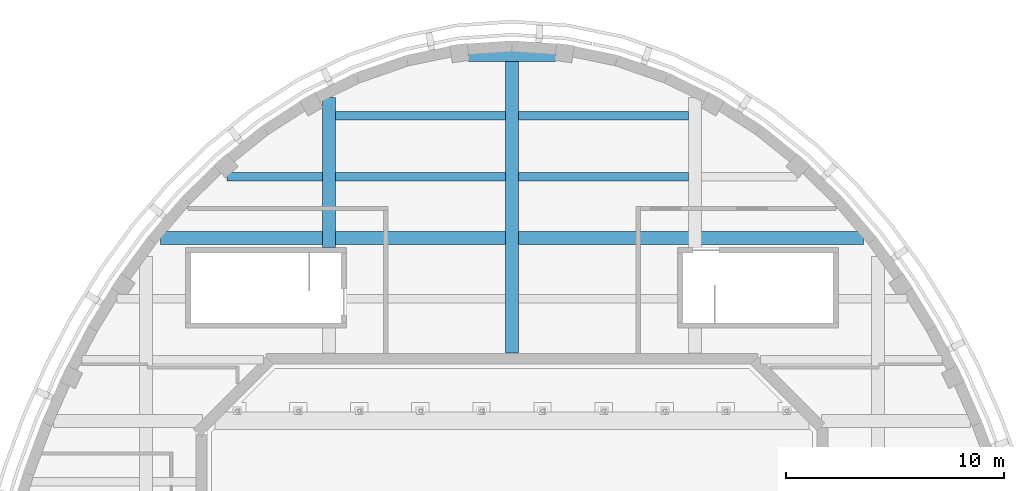
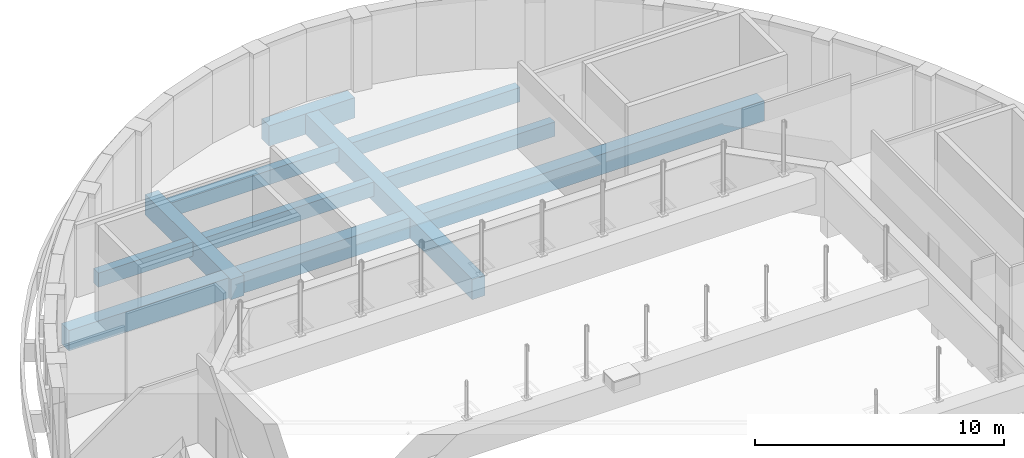
# One storey, part 21 of 47: 9 beams.
"""IFC4 building model written with IfcOpenShell, lengths in metres."""

from ifc_helpers import new_model, si_unit, direction, frame, origin, origin_2d, place, context, subcontext, project, spatial, rectangle, extrude, material, material_profile, profile_set, type_object, element, save


model = new_model("IFC4")

# Units and contexts
model_context = context("Model", 3, precision=1e-05, world=origin(), true_north=direction((0.0, 1.0)))
body_context = subcontext(model_context, "Body", "Model", "MODEL_VIEW")
ifc_project = project(units=[si_unit("LENGTHUNIT", "METRE"), si_unit("AREAUNIT", "SQUARE_METRE"), si_unit("VOLUMEUNIT", "CUBIC_METRE"), si_unit("PLANEANGLEUNIT", "RADIAN"), si_unit("MASSUNIT", "GRAM", prefix="KILO")], contexts=[model_context])

# Site, building, storey
site_placement = place(None, origin())
site = spatial("IfcSite", under=ifc_project, at=site_placement, CompositionType="ELEMENT")
building_placement = place(site_placement, origin())
building = spatial("IfcBuilding", under=site, at=building_placement, Name="Larchfold Concert Hall", CompositionType="ELEMENT")
storey_placement = place(building_placement, frame((0.0, 0.0, 24.0)))
storey = spatial("IfcBuildingStorey", under=building, at=storey_placement, Name="L05", CompositionType="ELEMENT", Elevation=24.0)

# Beams
ifc_material_1 = material(Name="Concrete C35/45", Category="concrete")
ifc_material_profile_1 = material_profile(ifc_material_1, rectangle(XDim=0.39990234375, YDim=0.699951171875, at=origin_2d()))
ifc_profile_set_1 = profile_set([ifc_material_profile_1], Name="Concrete C35/45")
beam_type_1 = type_object("IfcBeamType", Name="Beam RC 400x700", PredefinedType="BEAM", material=ifc_profile_set_1)
beam_1_placement = place(storey_placement, frame((29.50439453125, 112.60009765625, -0.550048828125), z_axis=(1.0, 0.0, 0.0), x_axis=(0.0, 1.0, 0.0)))
element("IfcBeam", 1, at=beam_1_placement, inside=storey, type_object=beam_type_1, Name="Beam B1594", PredefinedType="BEAM", context=body_context, shape_type="SweptSolid", body=[
    extrude(rectangle(XDim=0.39990234375, YDim=0.699951171875, at=origin_2d()), origin(), (0.0, 0.0, 1.0), 4.3955078125),
])
for number, where, z_axis, x_axis, name in (
    (2, (34.5, 112.60009765625, -0.550048828125), (1.0, 0.0, 0.0), (0.0, 1.0, 0.0), "Beam B1595"),
    (3, (42.89990234375, 112.60009765625, -0.550048828125), (1.0, 0.0, 0.0), (0.0, 1.0, 0.0), "Beam B1596"),
    (4, (34.5, 115.39990234375, -0.550048828125), (1.0, 0.0, 0.0), (0.0, 1.0, 0.0), "Beam B1598"),
    (5, (42.89990234375, 115.39990234375, -0.550048828125), (1.0, 0.0, 0.0), (0.0, 1.0, 0.0), "Beam B1599"),
):
    element("IfcBeam", number, at=place(storey_placement, frame(where, z_axis=z_axis, x_axis=x_axis)), inside=storey, type_object=beam_type_1, Name=name, PredefinedType="BEAM", context=body_context, shape_type="SweptSolid", body=[
        extrude(rectangle(XDim=0.39990234375, YDim=0.699951171875, at=origin_2d()), origin(), (0.0, 0.0, 1.0), 7.800048828125),
    ])
ifc_material_2 = material(Name="Concrete C35/45", Category="concrete")
ifc_material_profile_2 = material_profile(ifc_material_2, rectangle(XDim=0.60009765625, YDim=1.0, at=origin_2d()))
ifc_profile_set_2 = profile_set([ifc_material_profile_2], Name="Concrete C35/45")
beam_type_2 = type_object("IfcBeamType", Name="Beam RC 600x1000", PredefinedType="BEAM", material=ifc_profile_set_2)
beam_2_placement = place(storey_placement, frame((34.199951171875, 109.35009765625, -0.699951171875), z_axis=(0.0, 1.0, 0.0), x_axis=(-1.0, 0.0, 0.0)))
element("IfcBeam", 6, at=beam_2_placement, inside=storey, type_object=beam_type_2, Name="Beam B1525", PredefinedType="BEAM", context=body_context, shape_type="SweptSolid", body=[
    extrude(rectangle(XDim=0.60009765625, YDim=1.0, at=origin_2d()), origin(), (0.0, 0.0, 1.0), 6.893798828125),
])
beam_3_placement = place(storey_placement, frame((42.60009765625, 104.510009765625, -0.699951171875), z_axis=(0.0, 1.0, 0.0), x_axis=(-1.0, 0.0, 0.0)))
element("IfcBeam", 7, at=beam_3_placement, inside=storey, type_object=beam_type_2, Name="Beam B1526", PredefinedType="BEAM", context=body_context, shape_type="SweptSolid", body=[
    extrude(rectangle(XDim=0.60009765625, YDim=1.0, at=origin_2d()), origin(), (0.0, 0.0, 1.0), 13.859619140625),
])
beam_4_placement = place(storey_placement, frame((26.464111328125, 109.800048828125, -0.699951171875), z_axis=(1.0, 0.0, 0.0), x_axis=(0.0, 1.0, 0.0)))
element("IfcBeam", 8, at=beam_4_placement, inside=storey, type_object=beam_type_2, Name="Beam B1548", PredefinedType="BEAM", context=body_context, shape_type="SweptSolid", body=[
    extrude(rectangle(XDim=0.60009765625, YDim=1.0, at=origin_2d()), origin(), (0.0, 0.0, 1.0), 32.27197265625),
])
beam_5_placement = place(storey_placement, frame((40.609619140625, 118.199951171875, -0.699951171875), z_axis=(1.0, 0.0, 0.0), x_axis=(0.0, 1.0, 0.0)))
element("IfcBeam", 9, at=beam_5_placement, inside=storey, type_object=beam_type_2, Name="Beam B1549", PredefinedType="BEAM", context=body_context, shape_type="SweptSolid", body=[
    extrude(rectangle(XDim=0.60009765625, YDim=1.0, at=origin_2d()), origin(), (0.0, 0.0, 1.0), 3.98095703125),
])

save(model, "model.ifc")
